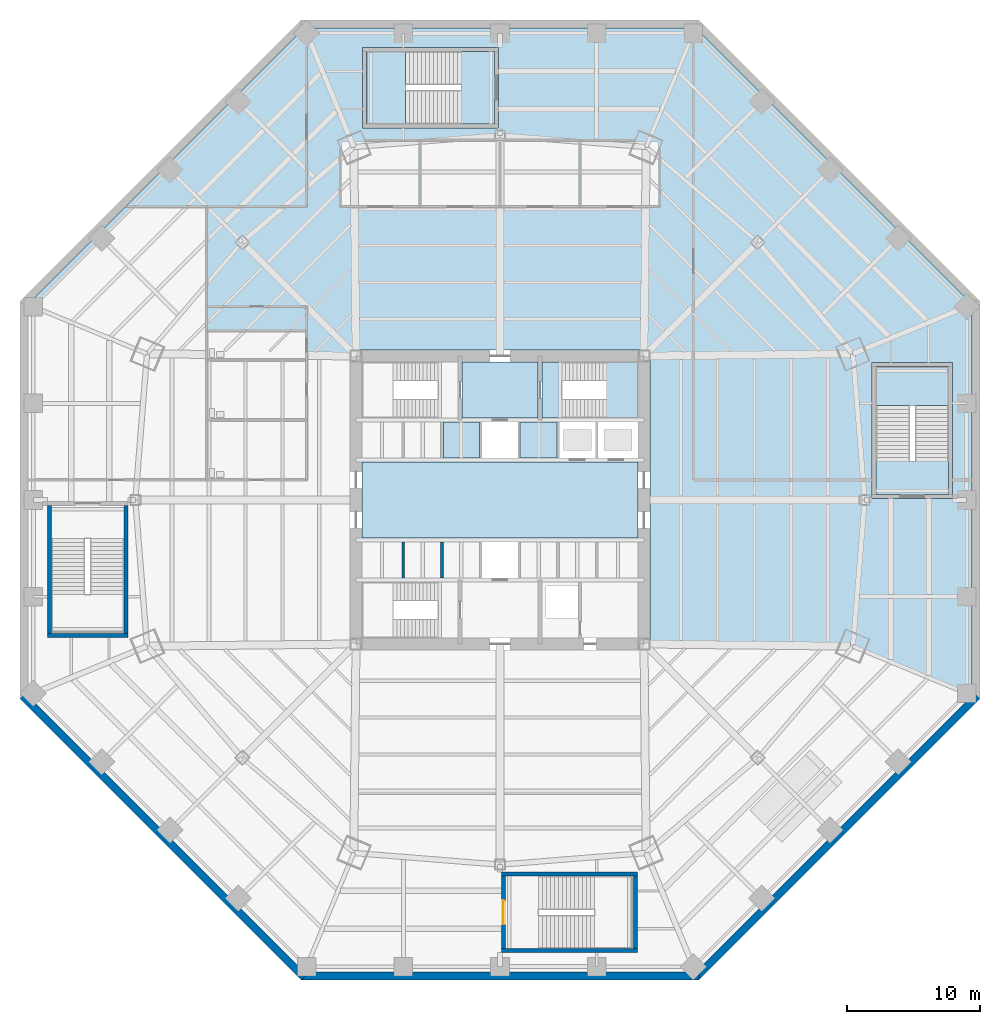
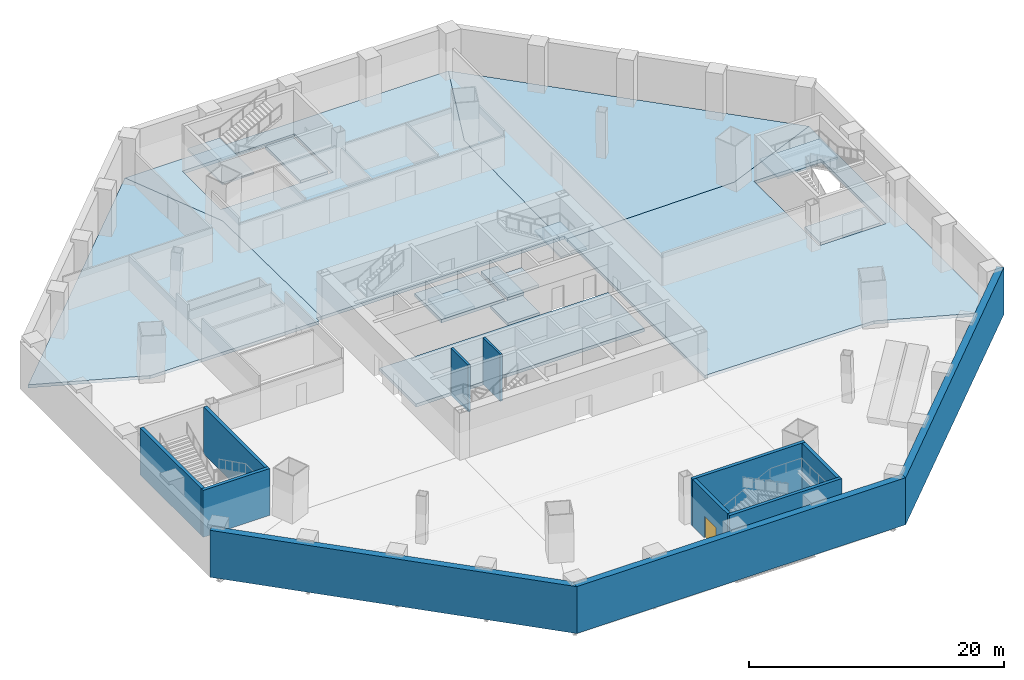
# One storey, part 7 of 15: 15 slabs, 12 walls, 1 door, 1 opening, 3 elements without a shape of their own.
"""IFC4 building model written with IfcOpenShell, lengths in metres."""

from ifc_helpers import new_model, si_unit, direction, frame, frame_2d, origin, place, context, subcontext, project, spatial, polyline, rectangle, outline, extrude, material, layer, layer_set, type_object, element, fill, aggregate, save


model = new_model("IFC4")

# Units and contexts
model_context = context("Model", 3, precision=1e-05, world=origin(), true_north=direction((0.0, 1.0)))
body_context = subcontext(model_context, "Body", "Model", "MODEL_VIEW")
ifc_project = project(units=[si_unit("LENGTHUNIT", "METRE"), si_unit("AREAUNIT", "SQUARE_METRE"), si_unit("VOLUMEUNIT", "CUBIC_METRE"), si_unit("PLANEANGLEUNIT", "RADIAN"), si_unit("MASSUNIT", "GRAM", prefix="KILO")], contexts=[model_context])

# Site, building, storey
site_placement = place(None, origin())
site = spatial("IfcSite", under=ifc_project, at=site_placement, CompositionType="ELEMENT")
building_placement = place(site_placement, origin())
building = spatial("IfcBuilding", under=site, at=building_placement, Name="Mashrafa Tower", CompositionType="ELEMENT")
storey_placement = place(building_placement, frame((0.0, 0.0, -4.5)))
storey = spatial("IfcBuildingStorey", under=building, at=storey_placement, Name="B1", CompositionType="ELEMENT", Elevation=-4.5)

# Slabs
ifc_material_1 = material(Name="Concrete C35/45", Category="concrete")
ifc_layer_1 = layer(ifc_material_1, 0.300048828125)
ifc_layer_set_1 = layer_set([ifc_layer_1], Name="Floor slab 300")
slab_type_1 = type_object("IfcSlabType", Name="Floor slab 300", PredefinedType="FLOOR", material=ifc_layer_set_1)
slab_1_placement = place(storey_placement, frame((0.0, 0.0, -0.300048828125)))
element("IfcSlab", 1, at=slab_1_placement, inside=storey, type_object=slab_type_1, Name="Floor slab B1 east bay", PredefinedType="FLOOR", context=body_context, shape_type="SweptSolid", body=[
    extrude(outline(polyline([(35.39990234375, 14.6630859375), (35.39990234375, -14.6630859375), (35.39990234375, -14.6630859375), (26.472412109375, -10.965087890625), (11.25, -10.8046875), (11.25, 10.8046875), (26.472412109375, 10.965087890625), (35.39990234375, 14.6630859375), (35.39990234375, 14.6630859375)]), holes=[polyline([(33.949951171875, 0.10009765625), (33.949951171875, 10.300048828125), (27.89990234375, 10.300048828125), (27.89990234375, 0.10009765625), (33.949951171875, 0.10009765625)])]), origin(), (0.0, 0.0, 1.0), 0.300048828125),
])
slab_2_placement = place(storey_placement, frame((0.0, 0.0, -0.300048828125)))
element("IfcSlab", 2, at=slab_2_placement, inside=storey, type_object=slab_type_1, Name="Floor slab B1 north-east bay", PredefinedType="FLOOR", context=body_context, shape_type="SweptSolid", body=[
    extrude(outline(polyline([(35.39990234375, 14.6630859375), (26.472412109375, 10.965087890625), (11.25, 10.8046875), (11.25, 11.25), (10.8046875, 11.25), (10.965087890625, 26.472412109375), (14.6630859375, 35.39990234375), (35.39990234375, 14.6630859375)])), origin(), (0.0, 0.0, 1.0), 0.300048828125),
])
slab_3_placement = place(storey_placement, frame((0.0, 0.0, -0.300048828125)))
element("IfcSlab", 3, at=slab_3_placement, inside=storey, type_object=slab_type_1, Name="Floor slab B1 north bay", PredefinedType="FLOOR", context=body_context, shape_type="SweptSolid", body=[
    extrude(outline(polyline([(-14.6630859375, 35.39990234375), (14.6630859375, 35.39990234375), (14.6630859375, 35.39990234375), (10.965087890625, 26.472412109375), (10.8046875, 11.25), (-10.8046875, 11.25), (-10.965087890625, 26.472412109375), (-14.6630859375, 35.39990234375), (-14.6630859375, 35.39990234375)]), holes=[polyline([(-0.10009765625, 27.89990234375), (-0.10009765625, 33.949951171875), (-10.300048828125, 33.949951171875), (-10.300048828125, 27.89990234375), (-0.10009765625, 27.89990234375)])]), origin(), (0.0, 0.0, 1.0), 0.300048828125),
])
slab_4_placement = place(storey_placement, frame((0.0, 0.0, -0.300048828125)))
element("IfcSlab", 4, at=slab_4_placement, inside=storey, type_object=slab_type_1, Name="Floor slab B1 north-west bay", PredefinedType="FLOOR", context=body_context, shape_type="SweptSolid", body=[
    extrude(outline(polyline([(-14.6630859375, 35.39990234375), (-10.965087890625, 26.472412109375), (-10.8046875, 11.25), (-11.25, 11.25), (-11.25, 10.8046875), (-26.472412109375, 10.965087890625), (-35.39990234375, 14.6630859375), (-14.6630859375, 35.39990234375)])), origin(), (0.0, 0.0, 1.0), 0.300048828125),
])
slab_5_placement = place(storey_placement, frame((0.0, 0.0, -0.300048828125)))
element("IfcSlab", 5, at=slab_5_placement, inside=storey, type_object=slab_type_1, Name="Core floor lift hall B1", PredefinedType="FLOOR", context=body_context, shape_type="SweptSolid", body=[
    extrude(outline(polyline([(-10.35009765625, 2.85009765625), (10.35009765625, 2.85009765625), (10.35009765625, -2.85009765625), (-10.35009765625, -2.85009765625), (-10.35009765625, 2.85009765625)])), origin(), (0.0, 0.0, 1.0), 0.300048828125),
])
slab_6_placement = place(storey_placement, frame((0.0, 0.0, -0.300048828125)))
element("IfcSlab", 6, at=slab_6_placement, inside=storey, type_object=slab_type_1, Name="Core floor fire-fighting lobby north B1", PredefinedType="FLOOR", context=body_context, shape_type="SweptSolid", body=[
    extrude(outline(polyline([(-2.85009765625, 10.35009765625), (2.85009765625, 10.35009765625), (2.85009765625, 6.14990234375), (-2.85009765625, 6.14990234375), (-2.85009765625, 10.35009765625)])), origin(), (0.0, 0.0, 1.0), 0.300048828125),
])
slab_7_placement = place(storey_placement, frame((0.0, 0.0, -0.300048828125)))
element("IfcSlab", 7, at=slab_7_placement, inside=storey, type_object=slab_type_1, Name="Core floor lift cell B1", PredefinedType="FLOOR", context=body_context, shape_type="SweptSolid", body=[
    extrude(outline(polyline([(4.35009765625, 5.85009765625), (4.35009765625, 3.14990234375), (1.449951171875, 3.14990234375), (1.449951171875, 5.85009765625), (4.35009765625, 5.85009765625)])), origin(), (0.0, 0.0, 1.0), 0.300048828125),
])
ifc_material_2 = material(Name="Concrete C32/40", Category="concrete")
ifc_layer_2 = layer(ifc_material_2, 0.300048828125)
ifc_layer_set_2 = layer_set([ifc_layer_2], Name="Lift pit slab 300")
slab_type_2 = type_object("IfcSlabType", Name="Lift pit slab 300", PredefinedType="FLOOR", material=ifc_layer_set_2)
slab_8_placement = place(storey_placement, frame((0.0, 0.0, 2.39990234375)))
element("IfcSlab", 8, at=slab_8_placement, inside=storey, type_object=slab_type_2, Name="Lift pit slab A3", PredefinedType="FLOOR", context=body_context, shape_type="SweptSolid", body=[
    extrude(outline(polyline([(-4.25, 3.14990234375), (-1.550048828125, 3.14990234375), (-1.550048828125, 5.85009765625), (-4.25, 5.85009765625), (-4.25, 3.14990234375)])), origin(), (0.0, 0.0, 1.0), 0.300048828125),
])
slab_9_placement = place(storey_placement, frame((0.0, 0.0, 2.39990234375)))
element("IfcSlab", 9, at=slab_9_placement, inside=storey, type_object=slab_type_2, Name="Lift pit slab A4", PredefinedType="FLOOR", context=body_context, shape_type="SweptSolid", body=[
    extrude(outline(polyline([(1.550048828125, 3.14990234375), (4.25, 3.14990234375), (4.25, 5.85009765625), (1.550048828125, 5.85009765625), (1.550048828125, 3.14990234375)])), origin(), (0.0, 0.0, 1.0), 0.300048828125),
])

# Stair, slab
ifc_material_3 = material(Name="Exit stair 1400")
stair_type_1 = type_object("IfcStairType", Name="Exit stair 1400", PredefinedType="HALF_TURN_STAIR", material=ifc_material_3)
stair_1_placement = place(storey_placement, origin())
stair_1 = element("IfcStair", 10, at=stair_1_placement, inside=storey, type_object=stair_type_1, Name="Stair S2 B1", PredefinedType="HALF_TURN_STAIR")
ifc_material_4 = material(Name="Concrete C32/40", Category="concrete")
ifc_layer_3 = layer(ifc_material_4, 0.199951171875)
ifc_layer_set_3 = layer_set([ifc_layer_3], Name="Stair landing 200")
slab_type_3 = type_object("IfcSlabType", Name="Stair landing 200", PredefinedType="LANDING", material=ifc_layer_set_3)
slab_10_placement = place(storey_placement, frame((0.0, 0.0, 2.050048828125)))
slab_10 = element("IfcSlab", 11, at=slab_10_placement, type_object=slab_type_3, Name="S2 landing 2", PredefinedType="LANDING", context=body_context, shape_type="SweptSolid", body=[
    extrude(outline(polyline([(8.0, 6.14990234375), (10.35009765625, 6.14990234375), (10.35009765625, 10.35009765625), (8.0, 10.35009765625), (8.0, 6.14990234375)])), origin(), (0.0, 0.0, 1.0), 0.199951171875),
])

ifc_material_5 = material(Name="Exit stair 2500")
stair_type_2 = type_object("IfcStairType", Name="Exit stair 2500", PredefinedType="HALF_TURN_STAIR", material=ifc_material_5)
stair_2_placement = place(storey_placement, origin())
stair_2 = element("IfcStair", 12, at=stair_2_placement, inside=storey, type_object=stair_type_2, Name="Stair P1 B1", PredefinedType="HALF_TURN_STAIR")
slab_11_placement = place(storey_placement, frame((0.0, 0.0, 2.050048828125)))
slab_11 = element("IfcSlab", 13, at=slab_11_placement, type_object=slab_type_3, Name="P1 landing 2", PredefinedType="LANDING", context=body_context, shape_type="SweptSolid", body=[
    extrude(outline(polyline([(33.64990234375, 7.090087890625), (33.64990234375, 10.0), (28.199951171875, 10.0), (28.199951171875, 7.090087890625), (33.64990234375, 7.090087890625)])), origin(), (0.0, 0.0, 1.0), 0.199951171875),
])

stair_3_placement = place(storey_placement, origin())
stair_3 = element("IfcStair", 14, at=stair_3_placement, inside=storey, type_object=stair_type_2, Name="Stair P2 B1", PredefinedType="HALF_TURN_STAIR")
slab_12_placement = place(storey_placement, frame((0.0, 0.0, 2.050048828125)))
slab_12 = element("IfcSlab", 15, at=slab_12_placement, type_object=slab_type_3, Name="P2 landing 2", PredefinedType="LANDING", context=body_context, shape_type="SweptSolid", body=[
    extrude(outline(polyline([(-10.0, 28.199951171875), (-7.090087890625, 28.199951171875), (-7.090087890625, 33.64990234375), (-10.0, 33.64990234375), (-10.0, 28.199951171875)])), origin(), (0.0, 0.0, 1.0), 0.199951171875),
])

# Slab
ifc_material_6 = material(Name="Concrete C32/40", Category="concrete")
ifc_layer_4 = layer(ifc_material_6, 0.300048828125)
ifc_layer_set_4 = layer_set([ifc_layer_4], Name="Stair landing 300")
slab_type_4 = type_object("IfcSlabType", Name="Stair landing 300", PredefinedType="LANDING", material=ifc_layer_set_4)
slab_13_placement = place(storey_placement, frame((0.0, 0.0, -0.300048828125)))
slab_13 = element("IfcSlab", 16, at=slab_13_placement, type_object=slab_type_4, Name="S2 landing 1", PredefinedType="LANDING", context=body_context, shape_type="SweptSolid", body=[
    extrude(outline(polyline([(3.14990234375, 6.14990234375), (4.659912109375, 6.14990234375), (4.659912109375, 10.35009765625), (3.14990234375, 10.35009765625), (3.14990234375, 6.14990234375)])), origin(), (0.0, 0.0, 1.0), 0.300048828125),
])

aggregate(stair_1, [slab_13, slab_10])

slab_14_placement = place(storey_placement, frame((0.0, 0.0, -0.300048828125)))
slab_14 = element("IfcSlab", 17, at=slab_14_placement, type_object=slab_type_4, Name="P1 landing 1", PredefinedType="LANDING", context=body_context, shape_type="SweptSolid", body=[
    extrude(outline(polyline([(33.64990234375, 0.39990234375), (33.64990234375, 2.909912109375), (28.199951171875, 2.909912109375), (28.199951171875, 0.39990234375), (33.64990234375, 0.39990234375)])), origin(), (0.0, 0.0, 1.0), 0.300048828125),
])

aggregate(stair_2, [slab_14, slab_11])

slab_15_placement = place(storey_placement, frame((0.0, 0.0, -0.300048828125)))
slab_15 = element("IfcSlab", 18, at=slab_15_placement, type_object=slab_type_4, Name="P2 landing 1", PredefinedType="LANDING", context=body_context, shape_type="SweptSolid", body=[
    extrude(outline(polyline([(-2.909912109375, 28.199951171875), (-0.39990234375, 28.199951171875), (-0.39990234375, 33.64990234375), (-2.909912109375, 33.64990234375), (-2.909912109375, 28.199951171875)])), origin(), (0.0, 0.0, 1.0), 0.300048828125),
])

aggregate(stair_3, [slab_15, slab_12])

# Walls
ifc_material_7 = material(Name="Concrete C40/50", Category="concrete")
ifc_layer_5 = layer(ifc_material_7, 0.60009765625)
ifc_layer_set_5 = layer_set([ifc_layer_5], Name="Basement retaining wall 600")
wall_type_1 = type_object("IfcWallType", Name="Basement retaining wall 600", PredefinedType="SOLIDWALL", material=ifc_layer_set_5)
wall_1_placement = place(storey_placement, frame((-35.787841796875, -14.699462890625, -0.300048828125), z_axis=(0.0, 0.0, 1.0), x_axis=(0.707106781187, -0.707106781187, 0.0)))
element("IfcWall", 19, at=wall_1_placement, inside=storey, type_object=wall_type_1, Name="Basement retaining wall B1 south-west", PredefinedType="SOLIDWALL", context=body_context, shape_type="SweptSolid", body=[
    extrude(rectangle(XDim=29.823486328125, YDim=0.60009765625, at=frame_2d((14.91162109375, 0.0))), origin(), (0.0, 0.0, 1.0), 4.5),
])
wall_2_placement = place(storey_placement, frame((-14.91162109375, -35.699951171875, -0.300048828125), z_axis=(0.0, 0.0, 1.0), x_axis=(1.0, 0.0, 0.0)))
element("IfcWall", 20, at=wall_2_placement, inside=storey, type_object=wall_type_1, Name="Basement retaining wall B1 south", PredefinedType="SOLIDWALL", context=body_context, shape_type="SweptSolid", body=[
    extrude(rectangle(XDim=29.8232421875, YDim=0.60009765625, at=frame_2d((14.91162109375, 0.0))), origin(), (0.0, 0.0, 1.0), 4.5),
])
wall_3_placement = place(storey_placement, frame((14.699462890625, -35.787841796875, -0.300048828125), z_axis=(0.0, 0.0, 1.0), x_axis=(0.707106781187, 0.707106781187, 0.0)))
element("IfcWall", 21, at=wall_3_placement, inside=storey, type_object=wall_type_1, Name="Basement retaining wall B1 south-east", PredefinedType="SOLIDWALL", context=body_context, shape_type="SweptSolid", body=[
    extrude(rectangle(XDim=29.823486328125, YDim=0.60009765625, at=frame_2d((14.91162109375, 0.0))), origin(), (0.0, 0.0, 1.0), 4.5),
])
ifc_material_8 = material(Name="Gypsum shaft wall on steel studs", Category="steel")
ifc_layer_6 = layer(ifc_material_8, 0.199951171875)
ifc_layer_set_6 = layer_set([ifc_layer_6], Name="Shaft divider wall 200 2 hr")
wall_type_2 = type_object("IfcWallType", Name="Shaft divider wall 200 2 hr", PredefinedType="PARTITIONING", material=ifc_layer_set_6)
for number, where, z_axis, x_axis, name in (
    (22, (-7.25, -5.85009765625, 0.0), (0.0, 0.0, 1.0), (0.0, 1.0, 0.0), "Shaft divider wall S1 B1"),
    (23, (-4.35009765625, -5.85009765625, 0.0), (0.0, 0.0, 1.0), (0.0, 1.0, 0.0), "Shaft divider wall S2 B1"),
):
    element("IfcWall", number, at=place(storey_placement, frame(where, z_axis=z_axis, x_axis=x_axis)), inside=storey, type_object=wall_type_2, Name=name, PredefinedType="PARTITIONING", context=body_context, shape_type="SweptSolid", body=[
        extrude(rectangle(XDim=2.7001953125, YDim=0.199951171875, at=frame_2d((1.35009765625, 0.0))), origin(), (0.0, 0.0, 1.0), 4.5),
    ])
ifc_material_9 = material(Name="Concrete C35/45", Category="concrete")
ifc_layer_7 = layer(ifc_material_9, 0.300048828125)
ifc_layer_set_7 = layer_set([ifc_layer_7], Name="Stair core wall 300 3 hr")
wall_type_3 = type_object("IfcWallType", Name="Stair core wall 300 3 hr", PredefinedType="SOLIDWALL", material=ifc_layer_set_7)
wall_4_placement = place(storey_placement, frame((-33.949951171875, -10.14990234375, 0.0), z_axis=(0.0, 0.0, 1.0), x_axis=(1.0, 0.0, 0.0)))
element("IfcWall", 24, at=wall_4_placement, inside=storey, type_object=wall_type_3, Name="Stair P3 core wall S B1", PredefinedType="SOLIDWALL", context=body_context, shape_type="SweptSolid", body=[
    extrude(rectangle(XDim=6.050048828125, YDim=0.300048828125, at=frame_2d((3.02490234375, 0.0))), origin(), (0.0, 0.0, 1.0), 4.5),
])
for number, where, z_axis, x_axis, name in (
    (25, (-33.800048828125, -0.39990234375, 0.0), (0.0, 0.0, 1.0), (0.0, -1.0, 0.0), "Stair P3 core wall W B1"),
    (26, (-28.050048828125, -10.0, 0.0), (0.0, 0.0, 1.0), (0.0, 1.0, 0.0), "Stair P3 core wall E B1"),
):
    element("IfcWall", number, at=place(storey_placement, frame(where, z_axis=z_axis, x_axis=x_axis)), inside=storey, type_object=wall_type_3, Name=name, PredefinedType="SOLIDWALL", context=body_context, shape_type="SweptSolid", body=[
        extrude(rectangle(XDim=9.60009765625, YDim=0.300048828125, at=frame_2d((4.800048828125, 0.0))), origin(), (0.0, 0.0, 1.0), 4.5),
    ])
for number, where, z_axis, x_axis, name in (
    (27, (0.10009765625, -33.800048828125, 0.0), (0.0, 0.0, 1.0), (1.0, 0.0, 0.0), "Stair P4 core wall S B1"),
    (28, (10.300048828125, -28.050048828125, 0.0), (0.0, 0.0, 1.0), (-1.0, 0.0, 0.0), "Stair P4 core wall N B1"),
):
    element("IfcWall", number, at=place(storey_placement, frame(where, z_axis=z_axis, x_axis=x_axis)), inside=storey, type_object=wall_type_3, Name=name, PredefinedType="SOLIDWALL", context=body_context, shape_type="SweptSolid", body=[
        extrude(rectangle(XDim=10.199951171875, YDim=0.300048828125, at=frame_2d((5.10009765625, 0.0))), origin(), (0.0, 0.0, 1.0), 4.5),
    ])

# Wall, opening, door
wall_5_placement = place(storey_placement, frame((0.25, -28.199951171875, 0.0), z_axis=(0.0, 0.0, 1.0), x_axis=(0.0, -1.0, 0.0)))
wall_5 = element("IfcWall", 29, at=wall_5_placement, inside=storey, type_object=wall_type_3, Name="Stair P4 core wall W B1", PredefinedType="SOLIDWALL", context=body_context, shape_type="SweptSolid", body=[
    extrude(rectangle(XDim=5.449951171875, YDim=0.300048828125, at=frame_2d((2.72509765625, 0.0))), origin(), (0.0, 0.0, 1.0), 4.5),
])
opening_placement = place(wall_5_placement, frame((1.824951171875, 0.0, 0.0)))
opening = element("IfcOpeningElement", 30, at=opening_placement, cuts=wall_5, Name="Opening B1.026", PredefinedType="OPENING", context=body_context, shape_type="SweptSolid", body=[
    extrude(rectangle(XDim=1.800048828125, YDim=2.10009765625, at=frame_2d((0.89990234375, 1.050048828125))), frame((0.0, 0.159912109375, 0.0), z_axis=(0.0, -1.0, 0.0), x_axis=(1.0, 0.0, 0.0)), (0.0, 0.0, 1.0), 0.320068359375),
])
ifc_material_10 = material(Name="Steel door", Category="steel")
door_type = type_object("IfcDoorType", Name="Stair door pair 1800 x 2100 90 min", OperationType="DOUBLE_DOOR_SINGLE_SWING", PredefinedType="DOOR", material=ifc_material_10)
door_placement = place(opening_placement, origin())
door = element("IfcDoor", 31, at=door_placement, inside=storey, type_object=door_type, Name="Stair P4 door B1", OperationType="DOUBLE_DOOR_SINGLE_SWING", OverallHeight=2.10009765625, OverallWidth=1.800048828125, PredefinedType="DOOR", context=body_context, shape_type="SweptSolid", body=[
    extrude(rectangle(XDim=1.800048828125, YDim=2.10009765625, at=frame_2d((0.89990234375, 1.050048828125))), frame((0.0, 0.02490234375, 0.0), z_axis=(0.0, -1.0, 0.0), x_axis=(1.0, 0.0, 0.0)), (0.0, 0.0, 1.0), 0.050048828125),
])
fill(opening, door)

# Wall
wall_6_placement = place(storey_placement, frame((10.14990234375, -33.64990234375, 0.0), z_axis=(0.0, 0.0, 1.0), x_axis=(0.0, 1.0, 0.0)))
element("IfcWall", 32, at=wall_6_placement, inside=storey, type_object=wall_type_3, Name="Stair P4 core wall E B1", PredefinedType="SOLIDWALL", context=body_context, shape_type="SweptSolid", body=[
    extrude(rectangle(XDim=5.449951171875, YDim=0.300048828125, at=frame_2d((2.72509765625, 0.0))), origin(), (0.0, 0.0, 1.0), 4.5),
])

save(model, "model.ifc")
